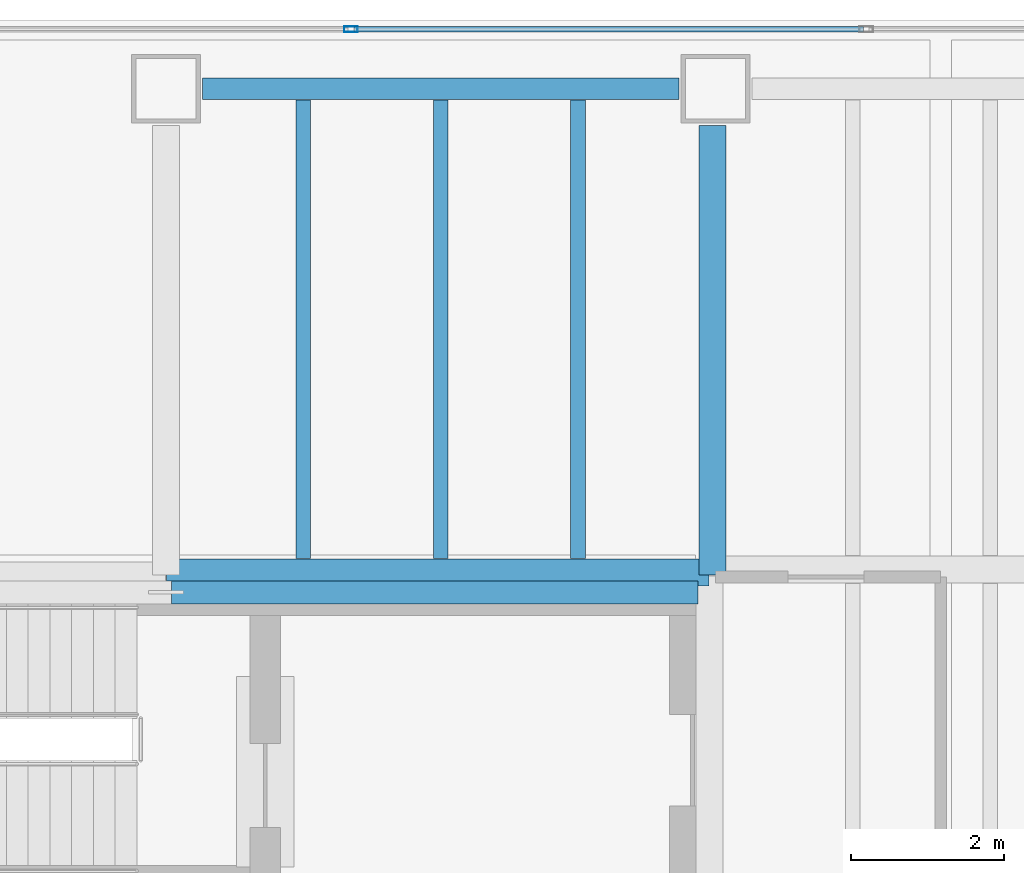
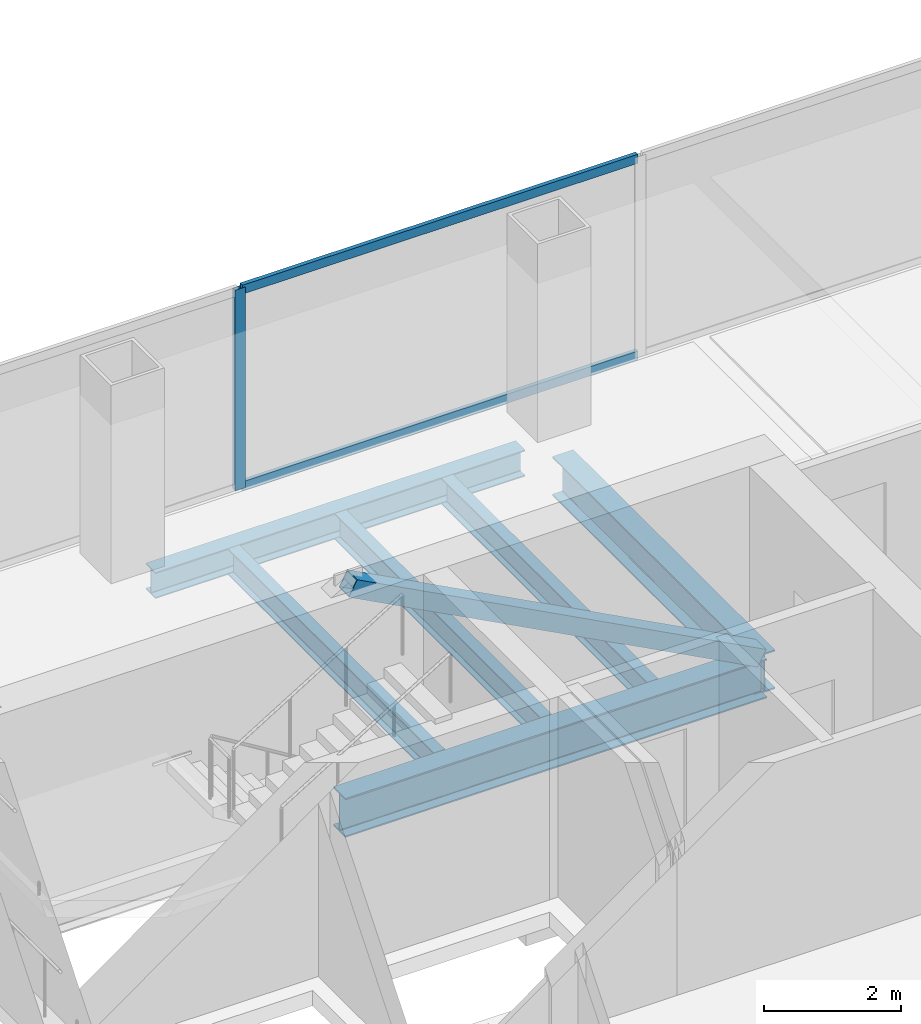
# One storey, part 17 of 23: 6 beams, 4 members, 1 element without a shape of its own.
"""IFC4 building model written with IfcOpenShell, lengths in metres."""

import ifcopenshell
import ifcopenshell.guid

model = None  # the IFC model being written
_history = None  # IfcOwnerHistory: only IFC2X3 demands one
_inside = {}  # id of a spatial element -> (the spatial element, [elements in it])
_under = {}  # id of a project, library or spatial element -> (it, [spatial elements below it])
_declared = {}  # id of a project -> (the project, [libraries it declares])
_typed = {}  # id of a type object -> (the type object, [elements of that type])
_made_of = {}  # id of a material, layer set ... -> (it, [elements and type objects made of it])


def new_model(schema):
    """Start an empty IFC model of exactly this schema.

    Asked for "IFC4X3", IfcOpenShell would pick the latest addendum, in which some entities
    have other attributes; the version numbers below select the first issue.
    IFC2X3 requires an IfcOwnerHistory on every rooted entity: one is made here for all.
    """
    global model, _history
    if schema == "IFC4X3":
        model = ifcopenshell.file(schema_version=(4, 3, 0, 0))
    else:
        model = ifcopenshell.file(schema=schema)
    _inside.clear()
    _under.clear()
    _declared.clear()
    _typed.clear()
    _made_of.clear()
    _history = None
    if model.schema == "IFC2X3":
        org = make("IfcOrganization", Name="unknown")
        user = make(
            "IfcPersonAndOrganization",
            ThePerson=make("IfcPerson", FamilyName="unknown"),
            TheOrganization=org,
        )
        app = make(
            "IfcApplication",
            ApplicationDeveloper=org,
            Version="unknown",
            ApplicationFullName="unknown",
            ApplicationIdentifier="unknown",
        )
        _history = make(
            "IfcOwnerHistory",
            OwningUser=user,
            OwningApplication=app,
            ChangeAction="ADDED",
            CreationDate=0,
        )
    return model


def make(cls, **values):
    """One entity of the class cls with the attributes given. An attribute that is None is left unset."""
    return model.create_entity(
        cls, **{name: value for name, value in values.items() if value is not None}
    )


def rooted(cls, **values):
    """An entity with a GlobalId (a new one), such as an element, a storey or a relation."""
    return make(cls, GlobalId=ifcopenshell.guid.new(), OwnerHistory=_history, **values)


def si_unit(unit_type, name, prefix=None):
    """IfcSIUnit, for example si_unit("LENGTHUNIT", "METRE", prefix="MILLI")."""
    return make("IfcSIUnit", UnitType=unit_type, Prefix=prefix, Name=name)


def assignment(units):
    """IfcUnitAssignment: the units of a project."""
    return None if units is None else make("IfcUnitAssignment", Units=units)


def point(xyz):
    """IfcCartesianPoint."""
    return None if xyz is None else make("IfcCartesianPoint", Coordinates=xyz)


def direction(xyz):
    """IfcDirection."""
    return None if xyz is None else make("IfcDirection", DirectionRatios=xyz)


def frame(location, z_axis=None, x_axis=None):
    """IfcAxis2Placement3D, a coordinate frame: its origin and axes. An axis left out is left unset."""
    return make(
        "IfcAxis2Placement3D",
        Location=point(location),
        Axis=direction(z_axis),
        RefDirection=direction(x_axis),
    )


def frame_2d(location, x_axis=None):
    """IfcAxis2Placement2D, a coordinate frame in the plane: its origin and x axis."""
    return make(
        "IfcAxis2Placement2D", Location=point(location), RefDirection=direction(x_axis)
    )


def origin():
    """The frame at (0, 0, 0) with its axes left unset."""
    return frame((0.0, 0.0, 0.0))


def origin_2d():
    """The frame at (0, 0) in the plane with its x axis left unset."""
    return frame_2d((0.0, 0.0))


def place(relative_to, where):
    """IfcLocalPlacement: puts the frame where relative to a parent placement (None: the world)."""
    return make(
        "IfcLocalPlacement", PlacementRelTo=relative_to, RelativePlacement=where
    )


def context(
    kind, dimensions, precision=None, world=None, true_north=None, identifier=None
):
    """IfcGeometricRepresentationContext, for example the 3D "Model" context."""
    return make(
        "IfcGeometricRepresentationContext",
        ContextIdentifier=identifier,
        ContextType=kind,
        CoordinateSpaceDimension=dimensions,
        Precision=precision,
        WorldCoordinateSystem=world,
        TrueNorth=true_north,
    )


def subcontext(parent, identifier, kind, view, scale=None):
    """IfcGeometricRepresentationSubContext, for example "Body" below "Model"."""
    return make(
        "IfcGeometricRepresentationSubContext",
        ContextIdentifier=identifier,
        ContextType=kind,
        ParentContext=parent,
        TargetScale=scale,
        TargetView=view,
    )


def project(units=None, contexts=None):
    """IfcProject with its units and contexts."""
    return rooted(
        "IfcProject",
        Name="project",
        RepresentationContexts=contexts,
        UnitsInContext=assignment(units),
    )


def spatial(cls, under=None, at=None, **own):
    """A site, building, storey or space (cls), placed at a placement, below another one or the project."""
    s = rooted(cls, ObjectPlacement=at, **own)
    if under is not None:
        _under.setdefault(under.id(), (under, []))[1].append(s)
    return s


def profile(cls, at=None, kind="AREA", **sizes):
    """A parametric profile (cls). Its sizes go by their IFC names, for example OverallWidth=200.0."""
    return make(cls, ProfileType=kind, Position=at, **sizes)


def hollow_rectangle(**sizes):
    """IfcRectangleHollowProfileDef."""
    return profile("IfcRectangleHollowProfileDef", **sizes)


def i_section(**sizes):
    """IfcIShapeProfileDef."""
    return profile("IfcIShapeProfileDef", **sizes)


def extrude(swept, where, along, depth):
    """IfcExtrudedAreaSolid: the profile swept, set in the frame where, extruded along a direction by depth."""
    return make(
        "IfcExtrudedAreaSolid",
        SweptArea=swept,
        Position=where,
        ExtrudedDirection=direction(along),
        Depth=depth,
    )


def shape(context_of_items, identifier, shape_type, items):
    """IfcShapeRepresentation: the items that make up one representation, for example the "Body"."""
    return make(
        "IfcShapeRepresentation",
        ContextOfItems=context_of_items,
        RepresentationIdentifier=identifier,
        RepresentationType=shape_type,
        Items=items,
    )


def material(Name=None, Category=None):
    """IfcMaterial."""
    return make("IfcMaterial", Name=Name, Category=Category)


def material_profile(
    of_material, cross_section, Name=None, Category=None, Priority=None
):
    """IfcMaterialProfile: a cross section and its material."""
    return make(
        "IfcMaterialProfile",
        Name=Name,
        Material=of_material,
        Profile=cross_section,
        Priority=Priority,
        Category=Category,
    )


def profile_set(profiles, Name=None, composite=None):
    """IfcMaterialProfileSet."""
    return make(
        "IfcMaterialProfileSet",
        Name=Name,
        MaterialProfiles=profiles,
        CompositeProfile=composite,
    )


def made_of(thing, what):
    """Note that an element or type object is made of a material, layer set ...; save() writes the relation."""
    if what is not None:
        _made_of.setdefault(what.id(), (what, []))[1].append(thing)
    return thing


def type_object(cls, material=None, **own):
    """A type object (cls), such as IfcWallType, which elements share."""
    return made_of(rooted(cls, **own), material)


def element(
    cls,
    number,
    at=None,
    inside=None,
    cuts=None,
    type_object=None,
    material=None,
    context=None,
    identifier="Body",
    shape_type=None,
    held_by="IfcProductDefinitionShape",
    body=None,
    shapes=None,
    **own,
):
    """One element of the class cls, such as IfcWall. Its Tag is "e" and its number.

    at: its placement. inside: the storey or other place that contains it. cuts: it is an
    opening in that element (IfcRelVoidsElement). A single representation is given by context,
    identifier, shape_type and body (its items); several are given by shapes. held_by: the class
    of the entity that holds the representations. save() writes the other relations.
    """
    e = rooted(cls, Tag="e%d" % number, ObjectPlacement=at, **own)
    if body is not None:
        shapes = [shape(context, identifier, shape_type, body)]
    if shapes is not None:
        e.Representation = make(held_by, Representations=shapes)
    if inside is not None:
        _inside.setdefault(inside.id(), (inside, []))[1].append(e)
    if cuts is not None:
        rooted(
            "IfcRelVoidsElement", RelatingBuildingElement=cuts, RelatedOpeningElement=e
        )
    if type_object is not None:
        _typed.setdefault(type_object.id(), (type_object, []))[1].append(e)
    return made_of(e, material)


def aggregate(whole, parts):
    """IfcRelAggregates: a whole, such as a stair, and the parts it consists of."""
    return rooted("IfcRelAggregates", RelatingObject=whole, RelatedObjects=parts)


def save(model, path):
    """Write the relations noted so far, then the file.

    IfcRelAggregates (storeys below a building ...), IfcRelContainedInSpatialStructure (elements
    in a storey), IfcRelDefinesByType, IfcRelAssociatesMaterial and IfcRelDeclares: one each for
    every whole, place, type object, material and project.
    """
    for whole, parts in _under.values():
        aggregate(whole, parts)
    for where, things in _inside.values():
        rooted(
            "IfcRelContainedInSpatialStructure",
            RelatedElements=things,
            RelatingStructure=where,
        )
    for kind, things in _typed.values():
        rooted("IfcRelDefinesByType", RelatedObjects=things, RelatingType=kind)
    for what, things in _made_of.values():
        rooted("IfcRelAssociatesMaterial", RelatedObjects=things, RelatingMaterial=what)
    for by, libraries in _declared.values():
        rooted("IfcRelDeclares", RelatingContext=by, RelatedDefinitions=libraries)
    model.write(path)


model = new_model("IFC4")

# Units and contexts
model_context = context("Model", 3, precision=1e-05, world=origin(), true_north=direction((0.0, 1.0)))
body_context = subcontext(model_context, "Body", "Model", "MODEL_VIEW")
ifc_project = project(units=[si_unit("LENGTHUNIT", "METRE"), si_unit("AREAUNIT", "SQUARE_METRE"), si_unit("VOLUMEUNIT", "CUBIC_METRE"), si_unit("PLANEANGLEUNIT", "RADIAN"), si_unit("MASSUNIT", "GRAM", prefix="KILO")], contexts=[model_context])

# Site, building, storey
site_placement = place(None, origin())
site = spatial("IfcSite", under=ifc_project, at=site_placement, CompositionType="ELEMENT")
building_placement = place(site_placement, origin())
building = spatial("IfcBuilding", under=site, at=building_placement, Name="Cobrela Telecom Tower", CompositionType="ELEMENT")
storey_placement = place(building_placement, frame((0.0, 0.0, 117.60009765625)))
storey = spatial("IfcBuildingStorey", under=building, at=storey_placement, Name="L29", CompositionType="ELEMENT", Elevation=117.60009765625)

# Beams
ifc_material_1 = material(Name="Steel ASTM A992 Grade 50", Category="steel")
ifc_material_profile_1 = material_profile(ifc_material_1, i_section(OverallWidth=0.35595703125, OverallDepth=0.696044921875, WebThickness=0.015380859375, FlangeThickness=0.024658203125, FilletRadius=0.01806640625, at=origin_2d()), Name="W27X146")
ifc_profile_set_1 = profile_set([ifc_material_profile_1], Name="Steel ASTM A992 Grade 50")
beam_type_1 = type_object("IfcBeamType", Name="BM-GIRD-05", PredefinedType="USERDEFINED", material=ifc_profile_set_1)
beam_1_placement = place(storey_placement, frame((7.205078125, 35.9599609375, -0.6181640625), z_axis=(1.0, 0.0, 0.0), x_axis=(0.0, 1.0, 0.0)))
element("IfcBeam", 1, at=beam_1_placement, inside=storey, type_object=beam_type_1, Name="L29 Primary Girder X26", ObjectType="GIRDER", PredefinedType="USERDEFINED", context=body_context, shape_type="SweptSolid", body=[
    extrude(i_section(OverallWidth=0.35595703125, OverallDepth=0.696044921875, WebThickness=0.015380859375, FlangeThickness=0.024658203125, FilletRadius=0.01806640625, at=origin_2d()), origin(), (0.0, 0.0, 1.0), 7.10986328125),
])
beam_2_placement = place(storey_placement, frame((14.360107421875, 35.925048828125, -0.6181640625), z_axis=(0.0, 1.0, 0.0), x_axis=(-1.0, 0.0, 0.0)))
element("IfcBeam", 2, at=beam_2_placement, inside=storey, type_object=beam_type_1, Name="L29 Primary Girder Y38", ObjectType="GIRDER", PredefinedType="USERDEFINED", context=body_context, shape_type="SweptSolid", body=[
    extrude(i_section(OverallWidth=0.35595703125, OverallDepth=0.696044921875, WebThickness=0.015380859375, FlangeThickness=0.024658203125, FilletRadius=0.01806640625, at=origin_2d()), origin(), (0.0, 0.0, 1.0), 5.89501953125),
])
ifc_material_profile_2 = material_profile(ifc_material_1, i_section(OverallWidth=0.193115234375, OverallDepth=0.467041015625, WebThickness=0.011474609375, FlangeThickness=0.01904296875, FilletRadius=0.012939453125, at=origin_2d()), Name="W18X65")
ifc_profile_set_2 = profile_set([ifc_material_profile_2], Name="Steel ASTM A992 Grade 50")
beam_type_2 = type_object("IfcBeamType", Name="BM-JOIST-03", PredefinedType="JOIST", material=ifc_profile_set_2)
for number, where, z_axis, x_axis, name in (
    (3, (9.0, 36.14306640625, -0.503662109375), (0.0, 1.0, 0.0), (-1.0, 0.0, 0.0), "L29 Secondary Composite Floor Beam J01"),
    (4, (10.800048828125, 36.14306640625, -0.503662109375), (0.0, 1.0, 0.0), (-1.0, 0.0, 0.0), "L29 Secondary Composite Floor Beam J02"),
    (5, (12.60009765625, 36.14306640625, -0.503662109375), (0.0, 1.0, 0.0), (-1.0, 0.0, 0.0), "L29 Secondary Composite Floor Beam J03"),
):
    element("IfcBeam", number, at=place(storey_placement, frame(where, z_axis=z_axis, x_axis=x_axis)), inside=storey, type_object=beam_type_2, Name=name, PredefinedType="JOIST", context=body_context, shape_type="SweptSolid", body=[
        extrude(i_section(OverallWidth=0.193115234375, OverallDepth=0.467041015625, WebThickness=0.011474609375, FlangeThickness=0.01904296875, FilletRadius=0.012939453125, at=origin_2d()), origin(), (0.0, 0.0, 1.0), 6.010986328125),
    ])
ifc_material_profile_3 = material_profile(ifc_material_1, i_section(OverallWidth=0.281982421875, OverallDepth=0.467041015625, WebThickness=0.01220703125, FlangeThickness=0.01953125, FilletRadius=0.012939453125, at=origin_2d()), Name="W18X86")
ifc_profile_set_3 = profile_set([ifc_material_profile_3], Name="Steel ASTM A992 Grade 50")
beam_type_3 = type_object("IfcBeamType", Name="BM-SPAND-04", PredefinedType="SPANDREL", material=ifc_profile_set_3)
beam_3_placement = place(storey_placement, frame((7.679931640625, 42.300048828125, -0.503662109375), z_axis=(1.0, 0.0, 0.0), x_axis=(0.0, 1.0, 0.0)))
element("IfcBeam", 6, at=beam_3_placement, inside=storey, type_object=beam_type_3, Name="L29 Perimeter Spandrel X29", PredefinedType="SPANDREL", context=body_context, shape_type="SweptSolid", body=[
    extrude(i_section(OverallWidth=0.281982421875, OverallDepth=0.467041015625, WebThickness=0.01220703125, FlangeThickness=0.01953125, FilletRadius=0.012939453125, at=origin_2d()), origin(), (0.0, 0.0, 1.0), 6.239990234375),
])

# Curtain wall, members
ifc_material_2 = material(Name="Anodized Bronze Aluminium 6063-T6", Category="aluminium")
curtain_wall_type = type_object("IfcCurtainWallType", Name="CW-SYS-TEL", PredefinedType="USERDEFINED", material=ifc_material_2)
curtain_wall_placement = place(storey_placement, origin())
curtain_wall = element("IfcCurtainWall", 7, at=curtain_wall_placement, inside=storey, type_object=curtain_wall_type, Name="L29 Unitised Bronze Curtain Wall 07", ObjectType="UNITISED CURTAIN WALL", PredefinedType="USERDEFINED")
ifc_material_profile_4 = material_profile(ifc_material_2, hollow_rectangle(XDim=0.074951171875, YDim=0.179931640625, WallThickness=0.00390625, at=origin_2d()), Name="ALU 75x180x4")
ifc_profile_set_4 = profile_set([ifc_material_profile_4], Name="Anodized Bronze Aluminium 6063-T6")
member_type_1 = type_object("IfcMemberType", Name="CW-SYS-TEL-MUL", PredefinedType="MULLION", material=ifc_profile_set_4)
member_1_placement = place(storey_placement, frame((9.623291015625, 43.080078125, 0.0), z_axis=(0.0, 0.0, 1.0), x_axis=(0.0, 1.0, 0.0)))
member_1 = element("IfcMember", 8, at=member_1_placement, type_object=member_type_1, Name="CW-TEL mullion 2", PredefinedType="MULLION", context=body_context, shape_type="SweptSolid", body=[
    extrude(hollow_rectangle(XDim=0.074951171875, YDim=0.179931640625, WallThickness=0.00390625, at=origin_2d()), origin(), (0.0, 0.0, 1.0), 3.579833984375),
])
ifc_material_profile_5 = material_profile(ifc_material_2, hollow_rectangle(XDim=0.070068359375, YDim=0.159912109375, WallThickness=0.00390625, at=origin_2d()), Name="ALU 70x160x4")
ifc_profile_set_5 = profile_set([ifc_material_profile_5], Name="Anodized Bronze Aluminium 6063-T6")
member_type_2 = type_object("IfcMemberType", Name="CW-SYS-TEL-TRN", PredefinedType="USERDEFINED", material=ifc_profile_set_5)
member_2_placement = place(storey_placement, frame((9.660888671875, 43.080078125, 0.034912109375), z_axis=(1.0, 0.0, 0.0), x_axis=(0.0, 1.0, 0.0)))
member_2 = element("IfcMember", 9, at=member_2_placement, type_object=member_type_2, Name="CW-TEL transom 2.1", ObjectType="TRANSOM", PredefinedType="USERDEFINED", context=body_context, shape_type="SweptSolid", body=[
    extrude(hollow_rectangle(XDim=0.070068359375, YDim=0.159912109375, WallThickness=0.00390625, at=origin_2d()), origin(), (0.0, 0.0, 1.0), 6.67822265625),
])
member_3_placement = place(storey_placement, frame((9.660888671875, 43.080078125, 3.544921875), z_axis=(1.0, 0.0, 0.0), x_axis=(0.0, 1.0, 0.0)))
member_3 = element("IfcMember", 10, at=member_3_placement, type_object=member_type_2, Name="CW-TEL transom 2.2", ObjectType="TRANSOM", PredefinedType="USERDEFINED", context=body_context, shape_type="SweptSolid", body=[
    extrude(hollow_rectangle(XDim=0.070068359375, YDim=0.159912109375, WallThickness=0.00390625, at=origin_2d()), origin(), (0.0, 0.0, 1.0), 6.67822265625),
])
aggregate(curtain_wall, [member_1, member_2, member_3])

# Member
ifc_material_3 = material(Name="Steel ASTM A572 Grade 50", Category="steel")
ifc_material_profile_6 = material_profile(ifc_material_3, hollow_rectangle(XDim=0.300048828125, YDim=0.300048828125, WallThickness=0.01611328125, at=origin_2d()), Name="HSS 300x300x16")
ifc_profile_set_6 = profile_set([ifc_material_profile_6], Name="Steel ASTM A572 Grade 50")
member_type_3 = type_object("IfcMemberType", Name="MBR-EXO-03", PredefinedType="BRACE", material=ifc_profile_set_6)
member_4_placement = place(storey_placement, frame((14.10009765625, 35.699951171875, -0.0400390625), z_axis=(-0.883422698386, 0.0, 0.468576926423), x_axis=(0.0, -1.0, 0.0)))
element("IfcMember", 11, at=member_4_placement, inside=storey, type_object=member_type_3, Name="L29 Core Flange Steel Brace N2", PredefinedType="BRACE", context=body_context, shape_type="SweptSolid", body=[
    extrude(hollow_rectangle(XDim=0.300048828125, YDim=0.300048828125, WallThickness=0.01611328125, at=origin_2d()), origin(), (0.0, 0.0, 1.0), 7.810791015625),
])

save(model, "model.ifc")
